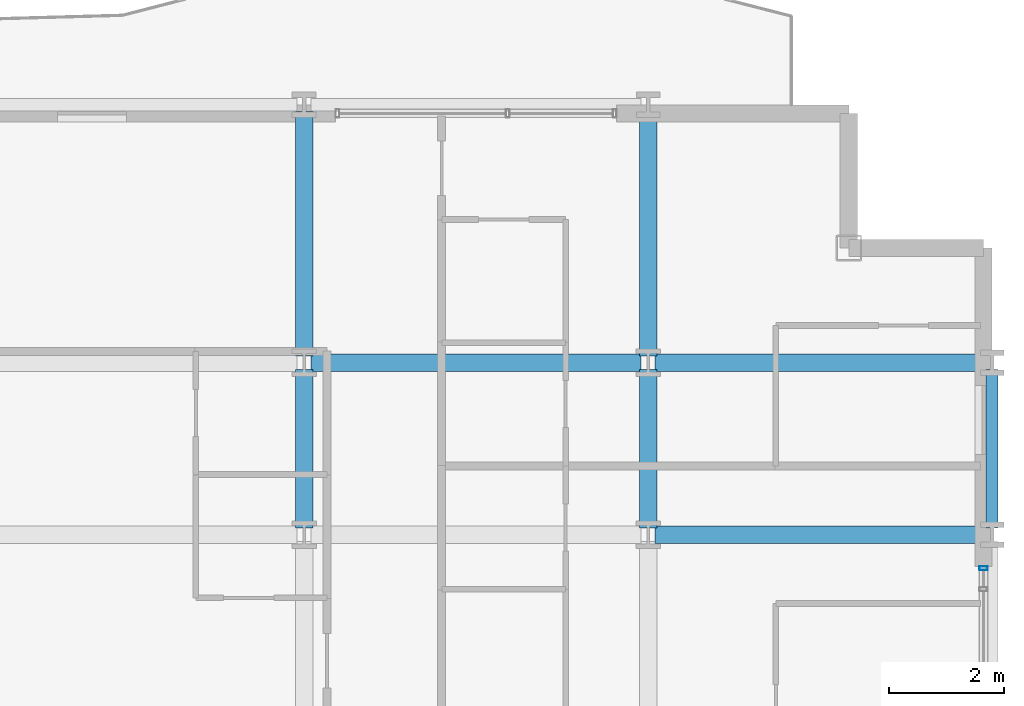
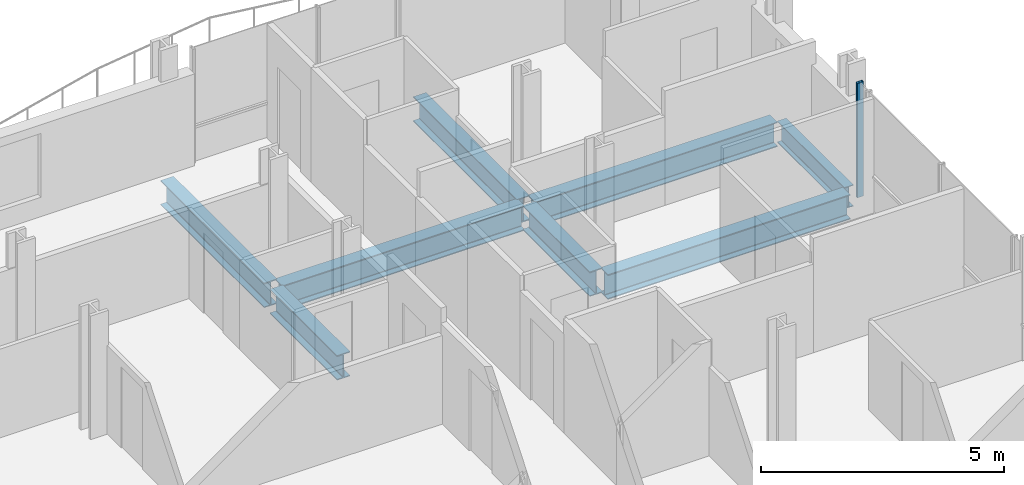
# One storey, part 20 of 40: 8 beams, 1 member, 1 element without a shape of its own.
"""IFC4 building model written with IfcOpenShell, lengths in metres."""

from ifc_helpers import new_model, si_unit, direction, frame, origin, origin_2d, place, context, subcontext, project, spatial, hollow_rectangle, i_section, extrude, material, layer, layer_set, material_profile, profile_set, type_object, element, aggregate, save


model = new_model("IFC4")

# Units and contexts
model_context = context("Model", 3, precision=1e-05, world=origin(), true_north=direction((0.0, 1.0)))
body_context = subcontext(model_context, "Body", "Model", "MODEL_VIEW")
ifc_project = project(units=[si_unit("LENGTHUNIT", "METRE"), si_unit("AREAUNIT", "SQUARE_METRE"), si_unit("VOLUMEUNIT", "CUBIC_METRE"), si_unit("PLANEANGLEUNIT", "RADIAN"), si_unit("MASSUNIT", "GRAM", prefix="KILO")], contexts=[model_context])

# Site, building, storey
site_placement = place(None, origin())
site = spatial("IfcSite", under=ifc_project, at=site_placement, CompositionType="ELEMENT")
building_placement = place(site_placement, origin())
building = spatial("IfcBuilding", under=site, at=building_placement, Name="Brevholm Reach", CompositionType="ELEMENT")
storey_placement = place(building_placement, frame((0.0, 0.0, 31.10009765625)))
storey = spatial("IfcBuildingStorey", under=building, at=storey_placement, Name="L07", CompositionType="ELEMENT", Elevation=31.10009765625)

# Beams
ifc_material_1 = material(Name="Structural Steel S355J2", Category="steel")
ifc_material_profile_1 = material_profile(ifc_material_1, i_section(OverallWidth=0.210693359375, OverallDepth=0.53955078125, WebThickness=0.01171875, FlangeThickness=0.018798828125, FilletRadius=0.0126953125, at=origin_2d()), Name="UKB 533x210x109")
ifc_profile_set_1 = profile_set([ifc_material_profile_1], Name="Structural Steel S355J2")
beam_type_1 = type_object("IfcBeamType", Name="BM-SP539", PredefinedType="SPANDREL", material=ifc_profile_set_1)
beam_1_placement = place(storey_placement, frame((60.0, 23.6201171875, -0.499755859375), z_axis=(0.0, 1.0, 0.0), x_axis=(-1.0, 0.0, 0.0)))
element("IfcBeam", 1, at=beam_1_placement, inside=storey, type_object=beam_type_1, Name="L07 SP-01B Framing Beam", PredefinedType="SPANDREL", context=body_context, shape_type="SweptSolid", body=[
    extrude(i_section(OverallWidth=0.210693359375, OverallDepth=0.53955078125, WebThickness=0.01171875, FlangeThickness=0.018798828125, FilletRadius=0.0126953125, at=origin_2d()), origin(), (0.0, 0.0, 1.0), 2.759765625),
])
ifc_material_2 = material(Name="Structural Steel S355J2", Category="steel")
ifc_material_profile_2 = material_profile(ifc_material_2, i_section(OverallWidth=0.30712890625, OverallDepth=0.6201171875, WebThickness=0.01416015625, FlangeThickness=0.023681640625, FilletRadius=0.0166015625, at=origin_2d()), Name="UKB 610x305x179")
ifc_profile_set_2 = profile_set([ifc_material_profile_2], Name="Structural Steel S355J2")
beam_type_2 = type_object("IfcBeamType", Name="BM-UKB610H", PredefinedType="USERDEFINED", material=ifc_profile_set_2)
for number, where, z_axis, x_axis, name in (
    (2, (54.1201171875, 23.5, -0.540283203125), (1.0, 0.0, 0.0), (0.0, 1.0, 0.0), "L07 G-06 Framing Beam"),
    (3, (48.1201171875, 26.5, -0.540283203125), (1.0, 0.0, 0.0), (0.0, 1.0, 0.0), "L07 G-06 Framing Beam"),
    (4, (54.1201171875, 26.5, -0.540283203125), (1.0, 0.0, 0.0), (0.0, 1.0, 0.0), "L07 G-06 Framing Beam"),
):
    element("IfcBeam", number, at=place(storey_placement, frame(where, z_axis=z_axis, x_axis=x_axis)), inside=storey, type_object=beam_type_2, Name=name, ObjectType="GIRDER", PredefinedType="USERDEFINED", context=body_context, shape_type="SweptSolid", body=[
        extrude(i_section(OverallWidth=0.30712890625, OverallDepth=0.6201171875, WebThickness=0.01416015625, FlangeThickness=0.023681640625, FilletRadius=0.0166015625, at=origin_2d()), origin(), (0.0, 0.0, 1.0), 5.759765625),
    ])
beam_2_placement = place(storey_placement, frame((48.0, 23.6201171875, -0.540283203125), z_axis=(0.0, 1.0, 0.0), x_axis=(-1.0, 0.0, 0.0)))
element("IfcBeam", 5, at=beam_2_placement, inside=storey, type_object=beam_type_2, Name="L07 G-06 Framing Beam", ObjectType="GIRDER", PredefinedType="USERDEFINED", context=body_context, shape_type="SweptSolid", body=[
    extrude(i_section(OverallWidth=0.30712890625, OverallDepth=0.6201171875, WebThickness=0.01416015625, FlangeThickness=0.023681640625, FilletRadius=0.0166015625, at=origin_2d()), origin(), (0.0, 0.0, 1.0), 2.759765625),
])
beam_3_placement = place(storey_placement, frame((48.0, 26.6201171875, -0.540283203125), z_axis=(0.0, 1.0, 0.0), x_axis=(-1.0, 0.0, 0.0)))
element("IfcBeam", 6, at=beam_3_placement, inside=storey, type_object=beam_type_2, Name="L07 G-06 Framing Beam", ObjectType="GIRDER", PredefinedType="USERDEFINED", context=body_context, shape_type="SweptSolid", body=[
    extrude(i_section(OverallWidth=0.30712890625, OverallDepth=0.6201171875, WebThickness=0.01416015625, FlangeThickness=0.023681640625, FilletRadius=0.0166015625, at=origin_2d()), origin(), (0.0, 0.0, 1.0), 4.259765625),
])
beam_4_placement = place(storey_placement, frame((54.0, 23.6201171875, -0.540283203125), z_axis=(0.0, 1.0, 0.0), x_axis=(-1.0, 0.0, 0.0)))
element("IfcBeam", 7, at=beam_4_placement, inside=storey, type_object=beam_type_2, Name="L07 G-06 Framing Beam", ObjectType="GIRDER", PredefinedType="USERDEFINED", context=body_context, shape_type="SweptSolid", body=[
    extrude(i_section(OverallWidth=0.30712890625, OverallDepth=0.6201171875, WebThickness=0.01416015625, FlangeThickness=0.023681640625, FilletRadius=0.0166015625, at=origin_2d()), origin(), (0.0, 0.0, 1.0), 2.759765625),
])
beam_5_placement = place(storey_placement, frame((54.0, 26.6201171875, -0.540283203125), z_axis=(0.0, 1.0, 0.0), x_axis=(-1.0, 0.0, 0.0)))
element("IfcBeam", 8, at=beam_5_placement, inside=storey, type_object=beam_type_2, Name="L07 G-06 Framing Beam", ObjectType="GIRDER", PredefinedType="USERDEFINED", context=body_context, shape_type="SweptSolid", body=[
    extrude(i_section(OverallWidth=0.30712890625, OverallDepth=0.6201171875, WebThickness=0.01416015625, FlangeThickness=0.023681640625, FilletRadius=0.0166015625, at=origin_2d()), origin(), (0.0, 0.0, 1.0), 4.259765625),
])

# Curtain wall, member
ifc_material_3 = material(Name="Dark Anodised Aluminium 6063-T6 and Solar-Control Glass", Category="aluminium")
ifc_layer = layer(ifc_material_3, 0.14990234375)
ifc_layer_set = layer_set([ifc_layer], Name="Dark Anodised Aluminium 6063-T6 and Solar-Control Glass")
curtain_wall_type = type_object("IfcCurtainWallType", Name="CW-01", PredefinedType="NOTDEFINED", material=ifc_layer_set)
curtain_wall_placement = place(storey_placement, origin())
curtain_wall = element("IfcCurtainWall", 9, at=curtain_wall_placement, inside=storey, type_object=curtain_wall_type, Name="L07 Curtain Wall CW-01", PredefinedType="NOTDEFINED")
ifc_material_4 = material(Name="Dark Anodised Aluminium 6063-T6", Category="aluminium")
ifc_material_profile_3 = material_profile(ifc_material_4, hollow_rectangle(XDim=0.06494140625, YDim=0.14990234375, WallThickness=0.0048828125, InnerFilletRadius=0.0048828125, OuterFilletRadius=0.010009765625, at=origin_2d()), Name="RHS 150x65x5")
ifc_profile_set_3 = profile_set([ifc_material_profile_3], Name="Dark Anodised Aluminium 6063-T6")
member_type = type_object("IfcMemberType", Name="CWM-150", PredefinedType="MULLION", material=ifc_profile_set_3)
member_placement = place(storey_placement, frame((59.85009765625, 22.91748046875, 0.0), z_axis=(0.0, 0.0, 1.0), x_axis=(0.0, 1.0, 0.0)))
member = element("IfcMember", 10, at=member_placement, type_object=member_type, Name="CM-150 Mullion 6", PredefinedType="MULLION", context=body_context, shape_type="SweptSolid", body=[
    extrude(hollow_rectangle(XDim=0.06494140625, YDim=0.14990234375, WallThickness=0.0048828125, InnerFilletRadius=0.0048828125, OuterFilletRadius=0.010009765625, at=origin_2d()), origin(), (0.0, 0.0, 1.0), 2.869873046875),
])
aggregate(curtain_wall, [member])

save(model, "model.ifc")
